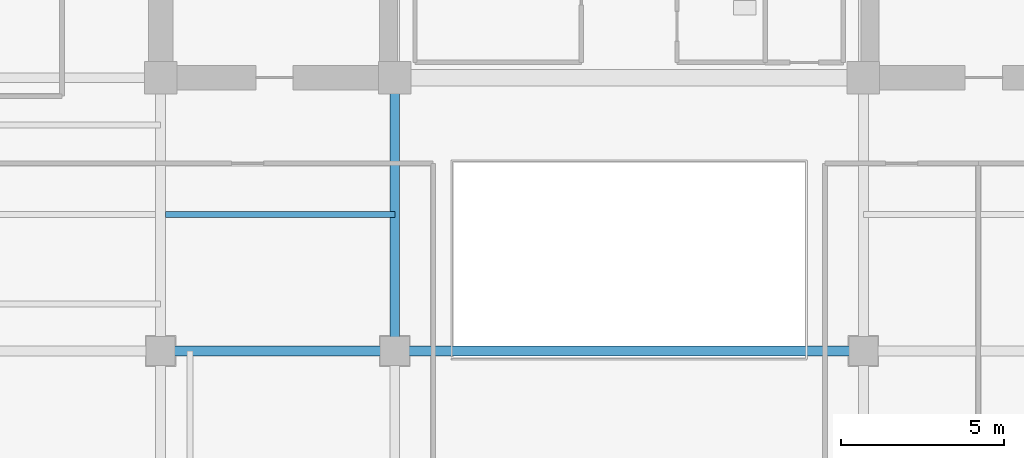
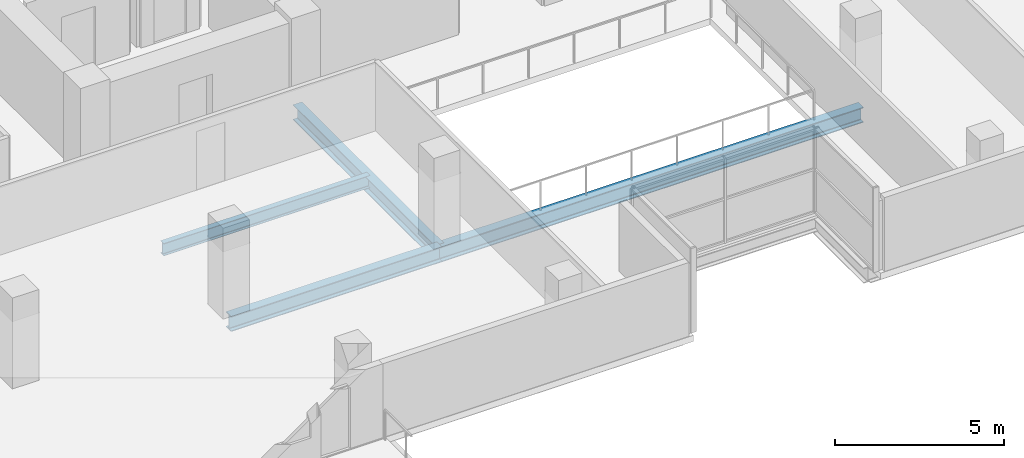
# One storey, part 4 of 23: 4 beams.
"""IFC4 building model written with IfcOpenShell, lengths in metres."""

from ifc_helpers import new_model, si_unit, direction, frame, origin, origin_2d, place, context, subcontext, project, spatial, i_section, extrude, material, material_profile, profile_set, type_object, element, save


model = new_model("IFC4")

# Units and contexts
model_context = context("Model", 3, precision=1e-05, world=origin(), true_north=direction((0.0, 1.0)))
body_context = subcontext(model_context, "Body", "Model", "MODEL_VIEW")
ifc_project = project(units=[si_unit("LENGTHUNIT", "METRE"), si_unit("AREAUNIT", "SQUARE_METRE"), si_unit("VOLUMEUNIT", "CUBIC_METRE"), si_unit("PLANEANGLEUNIT", "RADIAN"), si_unit("MASSUNIT", "GRAM", prefix="KILO")], contexts=[model_context])

# Site, building, storey
site_placement = place(None, origin())
site = spatial("IfcSite", under=ifc_project, at=site_placement, CompositionType="ELEMENT")
building_placement = place(site_placement, origin())
building = spatial("IfcBuilding", under=site, at=building_placement, Name="Zarnakvel Exchange Tower", CompositionType="ELEMENT")
storey_placement = place(building_placement, frame((0.0, 0.0, 129.699951171875)))
storey = spatial("IfcBuildingStorey", under=building, at=storey_placement, Name="L36", CompositionType="ELEMENT", Elevation=129.699951171875)

# Beams
ifc_material = material(Name="Steel S355", Category="steel")
ifc_material_profile_1 = material_profile(ifc_material, i_section(OverallWidth=0.18994140625, OverallDepth=0.449951171875, WebThickness=0.009521484375, FlangeThickness=0.0146484375, FilletRadius=0.02099609375, at=origin_2d()))
ifc_profile_set_1 = profile_set([ifc_material_profile_1], Name="Steel S355")
beam_type_1 = type_object("IfcBeamType", Name="B-05", PredefinedType="JOIST", material=ifc_profile_set_1)
beam_1_placement = place(storey_placement, frame((-14.25, -5.39990234375, -0.449951171875), z_axis=(1.0, 0.0, 0.0), x_axis=(0.0, 1.0, 0.0)))
element("IfcBeam", 1, at=beam_1_placement, inside=storey, type_object=beam_type_1, Name="L36 Composite Floor Secondary Joist", PredefinedType="JOIST", context=body_context, shape_type="SweptSolid", body=[
    extrude(i_section(OverallWidth=0.18994140625, OverallDepth=0.449951171875, WebThickness=0.009521484375, FlangeThickness=0.0146484375, FilletRadius=0.02099609375, at=origin_2d()), origin(), (0.0, 0.0, 1.0), 7.050048828125),
])
ifc_material_profile_2 = material_profile(ifc_material, i_section(OverallWidth=0.300048828125, OverallDepth=0.550048828125, WebThickness=0.014892578125, FlangeThickness=0.029052734375, FilletRadius=0.027099609375, at=origin_2d()))
ifc_profile_set_2 = profile_set([ifc_material_profile_2], Name="Steel S355")
beam_type_2 = type_object("IfcBeamType", Name="G-05", PredefinedType="BEAM", material=ifc_profile_set_2)
beam_2_placement = place(storey_placement, frame((-14.39990234375, -9.60009765625, -0.5), z_axis=(1.0, 0.0, 0.0), x_axis=(0.0, 1.0, 0.0)))
element("IfcBeam", 2, at=beam_2_placement, inside=storey, type_object=beam_type_2, Name="L36 Tower E-W Frame Beam", PredefinedType="BEAM", context=body_context, shape_type="SweptSolid", body=[
    extrude(i_section(OverallWidth=0.300048828125, OverallDepth=0.550048828125, WebThickness=0.014892578125, FlangeThickness=0.029052734375, FilletRadius=0.027099609375, at=origin_2d()), origin(), (0.0, 0.0, 1.0), 7.199951171875),
])
beam_3_placement = place(storey_placement, frame((-7.199951171875, -9.60009765625, -0.5), z_axis=(1.0, 0.0, 0.0), x_axis=(0.0, 1.0, 0.0)))
element("IfcBeam", 3, at=beam_3_placement, inside=storey, type_object=beam_type_2, Name="L36 Tower E-W Frame Beam", PredefinedType="BEAM", context=body_context, shape_type="SweptSolid", body=[
    extrude(i_section(OverallWidth=0.300048828125, OverallDepth=0.550048828125, WebThickness=0.014892578125, FlangeThickness=0.029052734375, FilletRadius=0.027099609375, at=origin_2d()), origin(), (0.0, 0.0, 1.0), 14.39990234375),
])
beam_4_placement = place(storey_placement, frame((-7.199951171875, -9.60009765625, -0.5), z_axis=(0.0, 1.0, 0.0), x_axis=(-1.0, 0.0, 0.0)))
element("IfcBeam", 4, at=beam_4_placement, inside=storey, type_object=beam_type_2, Name="L36 Tower N-S Frame Beam", PredefinedType="BEAM", context=body_context, shape_type="SweptSolid", body=[
    extrude(i_section(OverallWidth=0.300048828125, OverallDepth=0.550048828125, WebThickness=0.014892578125, FlangeThickness=0.029052734375, FilletRadius=0.027099609375, at=origin_2d()), origin(), (0.0, 0.0, 1.0), 8.400146484375),
])

save(model, "model.ifc")
